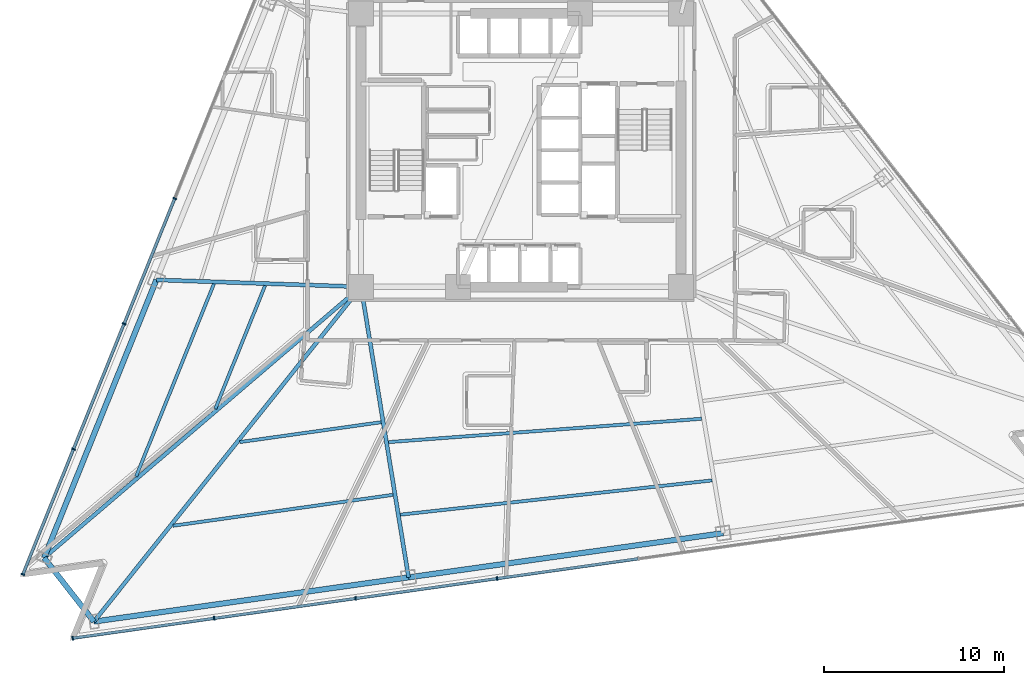
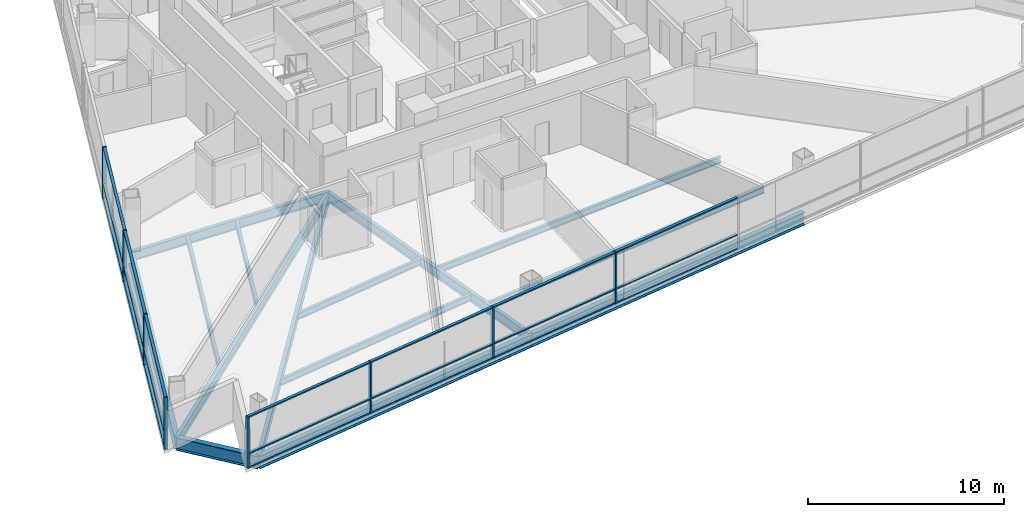
# One storey, part 2 of 15: 29 members, 14 beams, 2 elements without a shape of their own.
"""IFC4 building model written with IfcOpenShell, lengths in metres."""

from ifc_helpers import new_model, si_unit, direction, frame, origin, origin_2d, place, context, subcontext, project, spatial, rectangle, i_section, extrude, material, layer, layer_set, material_profile, profile_set, type_object, element, aggregate, save


model = new_model("IFC4")

# Units and contexts
model_context = context("Model", 3, precision=1e-05, world=origin(), true_north=direction((0.0, 1.0)))
body_context = subcontext(model_context, "Body", "Model", "MODEL_VIEW")
ifc_project = project(units=[si_unit("LENGTHUNIT", "METRE"), si_unit("AREAUNIT", "SQUARE_METRE"), si_unit("VOLUMEUNIT", "CUBIC_METRE"), si_unit("PLANEANGLEUNIT", "RADIAN"), si_unit("MASSUNIT", "GRAM", prefix="KILO")], contexts=[model_context])

# Site, building, storey
site_placement = place(None, origin())
site = spatial("IfcSite", under=ifc_project, at=site_placement, CompositionType="ELEMENT")
building_placement = place(site_placement, origin())
building = spatial("IfcBuilding", under=site, at=building_placement, Name="Tharavind Bronze Gate", CompositionType="ELEMENT")
storey_placement = place(building_placement, frame((0.0, 0.0, 60.449951171875)))
storey = spatial("IfcBuildingStorey", under=building, at=storey_placement, Name="L14", CompositionType="ELEMENT", Elevation=60.449951171875)

# Curtain wall, members
ifc_material_1 = material(Name="Anodised Bronze Aluminium", Category="aluminium")
ifc_layer = layer(ifc_material_1, 0.219970703125)
ifc_layer_set = layer_set([ifc_layer], Name="Anodised Bronze Aluminium")
curtain_wall_type = type_object("IfcCurtainWallType", Name="UNITISED CURTAIN WALL HOTEL", PredefinedType="USERDEFINED", material=ifc_layer_set)
curtain_wall_1_placement = place(storey_placement, origin())
curtain_wall_1 = element("IfcCurtainWall", 1, at=curtain_wall_1_placement, inside=storey, type_object=curtain_wall_type, Name="L14 unitised curtain wall hotel CW-L14-S1", ObjectType="UNITISED CURTAIN WALL", PredefinedType="USERDEFINED")
member_type_1 = type_object("IfcMemberType", Name="CURTAIN WALL MULLION 80X220", PredefinedType="MULLION", material=ifc_material_1)
member_1_placement = place(storey_placement, frame((-19.261474609375, -2.688232421875, 0.0), z_axis=(0.0, 0.0, 1.0), x_axis=(-0.374606593416, -0.927183854567, 0.0)))
member_1 = element("IfcMember", 2, at=member_1_placement, type_object=member_type_1, Name="CW-L14-S1 mullion 5", PredefinedType="MULLION", context=body_context, shape_type="SweptSolid", body=[
    extrude(rectangle(XDim=0.080078125, YDim=0.219970703125, at=origin_2d()), origin(), (0.0, 0.0, 1.0), 3.22509765625),
])
member_2_placement = place(storey_placement, frame((-22.07666015625, -9.65625, 0.0), z_axis=(0.0, 0.0, 1.0), x_axis=(-0.374606593416, -0.927183854567, 0.0)))
member_2 = element("IfcMember", 3, at=member_2_placement, type_object=member_type_1, Name="CW-L14-S1 mullion 6", PredefinedType="MULLION", context=body_context, shape_type="SweptSolid", body=[
    extrude(rectangle(XDim=0.080078125, YDim=0.219970703125, at=origin_2d()), origin(), (0.0, 0.0, 1.0), 3.22509765625),
])
member_3_placement = place(storey_placement, frame((-24.891845703125, -16.6240234375, 0.0), z_axis=(0.0, 0.0, 1.0), x_axis=(-0.374606593416, -0.927183854567, 0.0)))
member_3 = element("IfcMember", 4, at=member_3_placement, type_object=member_type_1, Name="CW-L14-S1 mullion 7", PredefinedType="MULLION", context=body_context, shape_type="SweptSolid", body=[
    extrude(rectangle(XDim=0.080078125, YDim=0.219970703125, at=origin_2d()), origin(), (0.0, 0.0, 1.0), 3.22509765625),
])
member_4_placement = place(storey_placement, frame((-27.70703125, -23.591796875, 0.0), z_axis=(0.0, 0.0, 1.0), x_axis=(-0.374606593416, -0.927183854567, 0.0)))
member_4 = element("IfcMember", 5, at=member_4_placement, type_object=member_type_1, Name="CW-L14-S1 mullion 8", PredefinedType="MULLION", context=body_context, shape_type="SweptSolid", body=[
    extrude(rectangle(XDim=0.080078125, YDim=0.219970703125, at=origin_2d()), origin(), (0.0, 0.0, 1.0), 3.22509765625),
])

curtain_wall_2_placement = place(storey_placement, origin())
curtain_wall_2 = element("IfcCurtainWall", 6, at=curtain_wall_2_placement, inside=storey, type_object=curtain_wall_type, Name="L14 unitised curtain wall hotel CW-L14-S2", ObjectType="UNITISED CURTAIN WALL", PredefinedType="USERDEFINED")
member_5_placement = place(storey_placement, frame((-24.9365234375, -27.137939453125, 0.0), z_axis=(0.0, 0.0, 1.0), x_axis=(0.990268068742, 0.13917310096, 0.0)))
member_5 = element("IfcMember", 7, at=member_5_placement, type_object=member_type_1, Name="CW-L14-S2 mullion 1", PredefinedType="MULLION", context=body_context, shape_type="SweptSolid", body=[
    extrude(rectangle(XDim=0.080078125, YDim=0.219970703125, at=origin_2d()), origin(), (0.0, 0.0, 1.0), 3.22509765625),
])
member_6_placement = place(storey_placement, frame((-17.0703125, -26.032470703125, 0.0), z_axis=(0.0, 0.0, 1.0), x_axis=(0.990268068742, 0.13917310096, 0.0)))
member_6 = element("IfcMember", 8, at=member_6_placement, type_object=member_type_1, Name="CW-L14-S2 mullion 2", PredefinedType="MULLION", context=body_context, shape_type="SweptSolid", body=[
    extrude(rectangle(XDim=0.080078125, YDim=0.219970703125, at=origin_2d()), origin(), (0.0, 0.0, 1.0), 3.22509765625),
])
member_7_placement = place(storey_placement, frame((-9.203857421875, -24.9267578125, 0.0), z_axis=(0.0, 0.0, 1.0), x_axis=(0.990268068742, 0.13917310096, 0.0)))
member_7 = element("IfcMember", 9, at=member_7_placement, type_object=member_type_1, Name="CW-L14-S2 mullion 3", PredefinedType="MULLION", context=body_context, shape_type="SweptSolid", body=[
    extrude(rectangle(XDim=0.080078125, YDim=0.219970703125, at=origin_2d()), origin(), (0.0, 0.0, 1.0), 3.22509765625),
])
member_8_placement = place(storey_placement, frame((-1.337646484375, -23.8212890625, 0.0), z_axis=(0.0, 0.0, 1.0), x_axis=(0.990268068742, 0.13917310096, 0.0)))
member_8 = element("IfcMember", 10, at=member_8_placement, type_object=member_type_1, Name="CW-L14-S2 mullion 4", PredefinedType="MULLION", context=body_context, shape_type="SweptSolid", body=[
    extrude(rectangle(XDim=0.080078125, YDim=0.219970703125, at=origin_2d()), origin(), (0.0, 0.0, 1.0), 3.22509765625),
])

# Member
member_type_2 = type_object("IfcMemberType", Name="CURTAIN WALL TRANSOM 80X160", PredefinedType="USERDEFINED", material=ifc_material_1)
member_9_placement = place(storey_placement, frame((-20.669189453125, -6.17236328125, 0.0), z_axis=(0.0, 0.0, 1.0), x_axis=(-0.374606593416, -0.927183854567, 0.0)))
member_9 = element("IfcMember", 11, at=member_9_placement, type_object=member_type_2, Name="CW-L14-S1 transom TB5", ObjectType="TRANSOM", PredefinedType="USERDEFINED", context=body_context, shape_type="SweptSolid", body=[
    extrude(rectangle(XDim=7.447021484375, YDim=0.159912109375, at=origin_2d()), origin(), (0.0, 0.0, 1.0), 0.080078125),
])

member_10_placement = place(storey_placement, frame((-20.669189453125, -6.17236328125, 0.860107421875), z_axis=(0.0, 0.0, 1.0), x_axis=(-0.374606593416, -0.927183854567, 0.0)))
member_10 = element("IfcMember", 12, at=member_10_placement, type_object=member_type_2, Name="CW-L14-S1 transom TS5", ObjectType="TRANSOM", PredefinedType="USERDEFINED", context=body_context, shape_type="SweptSolid", body=[
    extrude(rectangle(XDim=7.447021484375, YDim=0.159912109375, at=origin_2d()), origin(), (0.0, 0.0, 1.0), 0.080078125),
])

member_11_placement = place(storey_placement, frame((-20.669189453125, -6.17236328125, 3.14501953125), z_axis=(0.0, 0.0, 1.0), x_axis=(-0.374606593416, -0.927183854567, 0.0)))
member_11 = element("IfcMember", 13, at=member_11_placement, type_object=member_type_2, Name="CW-L14-S1 transom TT5", ObjectType="TRANSOM", PredefinedType="USERDEFINED", context=body_context, shape_type="SweptSolid", body=[
    extrude(rectangle(XDim=7.447021484375, YDim=0.159912109375, at=origin_2d()), origin(), (0.0, 0.0, 1.0), 0.080078125),
])

member_12_placement = place(storey_placement, frame((-23.484375, -13.14013671875, 0.0), z_axis=(0.0, 0.0, 1.0), x_axis=(-0.374606593416, -0.927183854567, 0.0)))
member_12 = element("IfcMember", 14, at=member_12_placement, type_object=member_type_2, Name="CW-L14-S1 transom TB6", ObjectType="TRANSOM", PredefinedType="USERDEFINED", context=body_context, shape_type="SweptSolid", body=[
    extrude(rectangle(XDim=7.447021484375, YDim=0.159912109375, at=origin_2d()), origin(), (0.0, 0.0, 1.0), 0.080078125),
])

member_13_placement = place(storey_placement, frame((-23.484375, -13.14013671875, 0.860107421875), z_axis=(0.0, 0.0, 1.0), x_axis=(-0.374606593416, -0.927183854567, 0.0)))
member_13 = element("IfcMember", 15, at=member_13_placement, type_object=member_type_2, Name="CW-L14-S1 transom TS6", ObjectType="TRANSOM", PredefinedType="USERDEFINED", context=body_context, shape_type="SweptSolid", body=[
    extrude(rectangle(XDim=7.447021484375, YDim=0.159912109375, at=origin_2d()), origin(), (0.0, 0.0, 1.0), 0.080078125),
])

member_14_placement = place(storey_placement, frame((-23.484375, -13.14013671875, 3.14501953125), z_axis=(0.0, 0.0, 1.0), x_axis=(-0.374606593416, -0.927183854567, 0.0)))
member_14 = element("IfcMember", 16, at=member_14_placement, type_object=member_type_2, Name="CW-L14-S1 transom TT6", ObjectType="TRANSOM", PredefinedType="USERDEFINED", context=body_context, shape_type="SweptSolid", body=[
    extrude(rectangle(XDim=7.447021484375, YDim=0.159912109375, at=origin_2d()), origin(), (0.0, 0.0, 1.0), 0.080078125),
])

member_15_placement = place(storey_placement, frame((-26.299560546875, -20.10791015625, 0.0), z_axis=(0.0, 0.0, 1.0), x_axis=(-0.374606593416, -0.927183854567, 0.0)))
member_15 = element("IfcMember", 17, at=member_15_placement, type_object=member_type_2, Name="CW-L14-S1 transom TB7", ObjectType="TRANSOM", PredefinedType="USERDEFINED", context=body_context, shape_type="SweptSolid", body=[
    extrude(rectangle(XDim=7.447021484375, YDim=0.159912109375, at=origin_2d()), origin(), (0.0, 0.0, 1.0), 0.080078125),
])

member_16_placement = place(storey_placement, frame((-26.299560546875, -20.10791015625, 0.860107421875), z_axis=(0.0, 0.0, 1.0), x_axis=(-0.374606593416, -0.927183854567, 0.0)))
member_16 = element("IfcMember", 18, at=member_16_placement, type_object=member_type_2, Name="CW-L14-S1 transom TS7", ObjectType="TRANSOM", PredefinedType="USERDEFINED", context=body_context, shape_type="SweptSolid", body=[
    extrude(rectangle(XDim=7.447021484375, YDim=0.159912109375, at=origin_2d()), origin(), (0.0, 0.0, 1.0), 0.080078125),
])

member_17_placement = place(storey_placement, frame((-26.299560546875, -20.10791015625, 3.14501953125), z_axis=(0.0, 0.0, 1.0), x_axis=(-0.374606593416, -0.927183854567, 0.0)))
member_17 = element("IfcMember", 19, at=member_17_placement, type_object=member_type_2, Name="CW-L14-S1 transom TT7", ObjectType="TRANSOM", PredefinedType="USERDEFINED", context=body_context, shape_type="SweptSolid", body=[
    extrude(rectangle(XDim=7.447021484375, YDim=0.159912109375, at=origin_2d()), origin(), (0.0, 0.0, 1.0), 0.080078125),
])

aggregate(curtain_wall_1, [member_1, member_2, member_3, member_4, member_9, member_10, member_11, member_12, member_13, member_14, member_15, member_16, member_17])

member_18_placement = place(storey_placement, frame((-21.00341796875, -26.585205078125, 0.0), z_axis=(0.0, 0.0, 1.0), x_axis=(0.990268068742, 0.13917310096, 0.0)))
member_18 = element("IfcMember", 20, at=member_18_placement, type_object=member_type_2, Name="CW-L14-S2 transom TB1", ObjectType="TRANSOM", PredefinedType="USERDEFINED", context=body_context, shape_type="SweptSolid", body=[
    extrude(rectangle(XDim=7.87548828125, YDim=0.159912109375, at=origin_2d()), origin(), (0.0, 0.0, 1.0), 0.080078125),
])

member_19_placement = place(storey_placement, frame((-21.00341796875, -26.585205078125, 0.860107421875), z_axis=(0.0, 0.0, 1.0), x_axis=(0.990268068742, 0.13917310096, 0.0)))
member_19 = element("IfcMember", 21, at=member_19_placement, type_object=member_type_2, Name="CW-L14-S2 transom TS1", ObjectType="TRANSOM", PredefinedType="USERDEFINED", context=body_context, shape_type="SweptSolid", body=[
    extrude(rectangle(XDim=7.87548828125, YDim=0.159912109375, at=origin_2d()), origin(), (0.0, 0.0, 1.0), 0.080078125),
])

member_20_placement = place(storey_placement, frame((-21.00341796875, -26.585205078125, 3.14501953125), z_axis=(0.0, 0.0, 1.0), x_axis=(0.990268068742, 0.13917310096, 0.0)))
member_20 = element("IfcMember", 22, at=member_20_placement, type_object=member_type_2, Name="CW-L14-S2 transom TT1", ObjectType="TRANSOM", PredefinedType="USERDEFINED", context=body_context, shape_type="SweptSolid", body=[
    extrude(rectangle(XDim=7.87548828125, YDim=0.159912109375, at=origin_2d()), origin(), (0.0, 0.0, 1.0), 0.080078125),
])

member_21_placement = place(storey_placement, frame((-13.13720703125, -25.4794921875, 0.0), z_axis=(0.0, 0.0, 1.0), x_axis=(0.990268068742, 0.13917310096, 0.0)))
member_21 = element("IfcMember", 23, at=member_21_placement, type_object=member_type_2, Name="CW-L14-S2 transom TB2", ObjectType="TRANSOM", PredefinedType="USERDEFINED", context=body_context, shape_type="SweptSolid", body=[
    extrude(rectangle(XDim=7.87548828125, YDim=0.159912109375, at=origin_2d()), origin(), (0.0, 0.0, 1.0), 0.080078125),
])

member_22_placement = place(storey_placement, frame((-13.13720703125, -25.4794921875, 0.860107421875), z_axis=(0.0, 0.0, 1.0), x_axis=(0.990268068742, 0.13917310096, 0.0)))
member_22 = element("IfcMember", 24, at=member_22_placement, type_object=member_type_2, Name="CW-L14-S2 transom TS2", ObjectType="TRANSOM", PredefinedType="USERDEFINED", context=body_context, shape_type="SweptSolid", body=[
    extrude(rectangle(XDim=7.87548828125, YDim=0.159912109375, at=origin_2d()), origin(), (0.0, 0.0, 1.0), 0.080078125),
])

member_23_placement = place(storey_placement, frame((-13.13720703125, -25.4794921875, 3.14501953125), z_axis=(0.0, 0.0, 1.0), x_axis=(0.990268068742, 0.13917310096, 0.0)))
member_23 = element("IfcMember", 25, at=member_23_placement, type_object=member_type_2, Name="CW-L14-S2 transom TT2", ObjectType="TRANSOM", PredefinedType="USERDEFINED", context=body_context, shape_type="SweptSolid", body=[
    extrude(rectangle(XDim=7.87548828125, YDim=0.159912109375, at=origin_2d()), origin(), (0.0, 0.0, 1.0), 0.080078125),
])

member_24_placement = place(storey_placement, frame((-5.270751953125, -24.3740234375, 0.0), z_axis=(0.0, 0.0, 1.0), x_axis=(0.990268068742, 0.13917310096, 0.0)))
member_24 = element("IfcMember", 26, at=member_24_placement, type_object=member_type_2, Name="CW-L14-S2 transom TB3", ObjectType="TRANSOM", PredefinedType="USERDEFINED", context=body_context, shape_type="SweptSolid", body=[
    extrude(rectangle(XDim=7.87548828125, YDim=0.159912109375, at=origin_2d()), origin(), (0.0, 0.0, 1.0), 0.080078125),
])

member_25_placement = place(storey_placement, frame((-5.270751953125, -24.3740234375, 0.860107421875), z_axis=(0.0, 0.0, 1.0), x_axis=(0.990268068742, 0.13917310096, 0.0)))
member_25 = element("IfcMember", 27, at=member_25_placement, type_object=member_type_2, Name="CW-L14-S2 transom TS3", ObjectType="TRANSOM", PredefinedType="USERDEFINED", context=body_context, shape_type="SweptSolid", body=[
    extrude(rectangle(XDim=7.87548828125, YDim=0.159912109375, at=origin_2d()), origin(), (0.0, 0.0, 1.0), 0.080078125),
])

member_26_placement = place(storey_placement, frame((-5.270751953125, -24.3740234375, 3.14501953125), z_axis=(0.0, 0.0, 1.0), x_axis=(0.990268068742, 0.13917310096, 0.0)))
member_26 = element("IfcMember", 28, at=member_26_placement, type_object=member_type_2, Name="CW-L14-S2 transom TT3", ObjectType="TRANSOM", PredefinedType="USERDEFINED", context=body_context, shape_type="SweptSolid", body=[
    extrude(rectangle(XDim=7.87548828125, YDim=0.159912109375, at=origin_2d()), origin(), (0.0, 0.0, 1.0), 0.080078125),
])

member_27_placement = place(storey_placement, frame((2.595703125, -23.2685546875, 0.0), z_axis=(0.0, 0.0, 1.0), x_axis=(0.990268068742, 0.13917310096, 0.0)))
member_27 = element("IfcMember", 29, at=member_27_placement, type_object=member_type_2, Name="CW-L14-S2 transom TB4", ObjectType="TRANSOM", PredefinedType="USERDEFINED", context=body_context, shape_type="SweptSolid", body=[
    extrude(rectangle(XDim=7.87548828125, YDim=0.159912109375, at=origin_2d()), origin(), (0.0, 0.0, 1.0), 0.080078125),
])

member_28_placement = place(storey_placement, frame((2.595703125, -23.2685546875, 0.860107421875), z_axis=(0.0, 0.0, 1.0), x_axis=(0.990268068742, 0.13917310096, 0.0)))
member_28 = element("IfcMember", 30, at=member_28_placement, type_object=member_type_2, Name="CW-L14-S2 transom TS4", ObjectType="TRANSOM", PredefinedType="USERDEFINED", context=body_context, shape_type="SweptSolid", body=[
    extrude(rectangle(XDim=7.87548828125, YDim=0.159912109375, at=origin_2d()), origin(), (0.0, 0.0, 1.0), 0.080078125),
])

member_29_placement = place(storey_placement, frame((2.595703125, -23.2685546875, 3.14501953125), z_axis=(0.0, 0.0, 1.0), x_axis=(0.990268068742, 0.13917310096, 0.0)))
member_29 = element("IfcMember", 31, at=member_29_placement, type_object=member_type_2, Name="CW-L14-S2 transom TT4", ObjectType="TRANSOM", PredefinedType="USERDEFINED", context=body_context, shape_type="SweptSolid", body=[
    extrude(rectangle(XDim=7.87548828125, YDim=0.159912109375, at=origin_2d()), origin(), (0.0, 0.0, 1.0), 0.080078125),
])

aggregate(curtain_wall_2, [member_5, member_6, member_7, member_8, member_18, member_19, member_20, member_21, member_22, member_23, member_24, member_25, member_26, member_27, member_28, member_29])

# Beams
ifc_material_2 = material(Name="Steel S355", Category="steel")
ifc_material_profile_1 = material_profile(ifc_material_2, i_section(OverallWidth=0.219970703125, OverallDepth=0.60009765625, WebThickness=0.011962890625, FlangeThickness=0.01904296875, at=origin_2d()), Name="IPE600")
ifc_profile_set_1 = profile_set([ifc_material_profile_1], Name="Steel S355")
beam_type_1 = type_object("IfcBeamType", Name="PRIMARY GIRDER IPE600", PredefinedType="USERDEFINED", material=ifc_profile_set_1)
beam_1_placement = place(storey_placement, frame((-20.28076171875, -7.212890625, -0.474853515625), z_axis=(0.999421731514, -0.034002978938, 0.0), x_axis=(0.034002978938, 0.999421731514, 0.0)))
element("IfcBeam", 32, at=beam_1_placement, inside=storey, type_object=beam_type_1, Name="L14 primary girder ipe600 BM-L14-RAD03", ObjectType="GIRDER", PredefinedType="USERDEFINED", context=body_context, shape_type="SweptSolid", body=[
    extrude(i_section(OverallWidth=0.219970703125, OverallDepth=0.60009765625, WebThickness=0.011962890625, FlangeThickness=0.01904296875, at=origin_2d()), origin(), (0.0, 0.0, 1.0), 11.387451171875),
])
beam_2_placement = place(storey_placement, frame((-26.525146484375, -22.66845703125, -0.474853515625), z_axis=(0.760086871137, 0.649821474195, 0.0), x_axis=(-0.649821474195, 0.760086871137, 0.0)))
element("IfcBeam", 33, at=beam_2_placement, inside=storey, type_object=beam_type_1, Name="L14 primary girder ipe600 BM-L14-RAD04", ObjectType="GIRDER", PredefinedType="USERDEFINED", context=body_context, shape_type="SweptSolid", body=[
    extrude(i_section(OverallWidth=0.219970703125, OverallDepth=0.60009765625, WebThickness=0.011962890625, FlangeThickness=0.01904296875, at=origin_2d()), origin(), (0.0, 0.0, 1.0), 23.1884765625),
])
beam_3_placement = place(storey_placement, frame((-23.754638671875, -26.21435546875, -0.474853515625), z_axis=(0.623755703822, 0.781619358735, 0.0), x_axis=(-0.781619358735, 0.623755703822, 0.0)))
element("IfcBeam", 34, at=beam_3_placement, inside=storey, type_object=beam_type_1, Name="L14 primary girder ipe600 BM-L14-RAD05", ObjectType="GIRDER", PredefinedType="USERDEFINED", context=body_context, shape_type="SweptSolid", body=[
    extrude(i_section(OverallWidth=0.219970703125, OverallDepth=0.60009765625, WebThickness=0.011962890625, FlangeThickness=0.01904296875, at=origin_2d()), origin(), (0.0, 0.0, 1.0), 23.81494140625),
])
beam_4_placement = place(storey_placement, frame((-6.25732421875, -23.75537109375, -0.474853515625), z_axis=(-0.161428355107, 0.986884434049, 0.0), x_axis=(-0.986884434049, -0.161428355107, 0.0)))
element("IfcBeam", 35, at=beam_4_placement, inside=storey, type_object=beam_type_1, Name="L14 primary girder ipe600 BM-L14-RAD06", ObjectType="GIRDER", PredefinedType="USERDEFINED", context=body_context, shape_type="SweptSolid", body=[
    extrude(i_section(OverallWidth=0.219970703125, OverallDepth=0.60009765625, WebThickness=0.011962890625, FlangeThickness=0.01904296875, at=origin_2d()), origin(), (0.0, 0.0, 1.0), 16.369873046875),
])
ifc_material_profile_2 = material_profile(ifc_material_2, i_section(OverallWidth=0.300048828125, OverallDepth=0.800048828125, WebThickness=0.017578125, FlangeThickness=0.032958984375, at=origin_2d()), Name="HE800B")
ifc_profile_set_2 = profile_set([ifc_material_profile_2], Name="Steel S355")
beam_type_2 = type_object("IfcBeamType", Name="RING GIRDER HE800B", PredefinedType="USERDEFINED", material=ifc_profile_set_2)
beam_5_placement = place(storey_placement, frame((-20.28076171875, -7.212890625, -0.574951171875), z_axis=(-0.374603014443, -0.927185300557, 0.0), x_axis=(0.927185300557, -0.374603014443, 0.0)))
element("IfcBeam", 36, at=beam_5_placement, inside=storey, type_object=beam_type_2, Name="L14 ring girder he800b BM-L14-PRG03", ObjectType="GIRDER", PredefinedType="USERDEFINED", context=body_context, shape_type="SweptSolid", body=[
    extrude(i_section(OverallWidth=0.300048828125, OverallDepth=0.800048828125, WebThickness=0.017578125, FlangeThickness=0.032958984375, at=origin_2d()), origin(), (0.0, 0.0, 1.0), 16.66943359375),
])
beam_6_placement = place(storey_placement, frame((-26.525146484375, -22.66845703125, -0.574951171875), z_axis=(0.615681943852, -0.787994761413, 0.0), x_axis=(0.787994761413, 0.615681943852, 0.0)))
element("IfcBeam", 37, at=beam_6_placement, inside=storey, type_object=beam_type_2, Name="L14 ring girder he800b BM-L14-PRG04", ObjectType="GIRDER", PredefinedType="USERDEFINED", context=body_context, shape_type="SweptSolid", body=[
    extrude(i_section(OverallWidth=0.300048828125, OverallDepth=0.800048828125, WebThickness=0.017578125, FlangeThickness=0.032958984375, at=origin_2d()), origin(), (0.0, 0.0, 1.0), 4.5),
])
beam_7_placement = place(storey_placement, frame((-23.754638671875, -26.21435546875, -0.574951171875), z_axis=(0.990268870582, 0.13916739545, 0.0), x_axis=(-0.13916739545, 0.990268870582, 0.0)))
element("IfcBeam", 38, at=beam_7_placement, inside=storey, type_object=beam_type_2, Name="L14 ring girder he800b BM-L14-PRG05", ObjectType="GIRDER", PredefinedType="USERDEFINED", context=body_context, shape_type="SweptSolid", body=[
    extrude(i_section(OverallWidth=0.300048828125, OverallDepth=0.800048828125, WebThickness=0.017578125, FlangeThickness=0.032958984375, at=origin_2d()), origin(), (0.0, 0.0, 1.0), 17.669189453125),
])
beam_8_placement = place(storey_placement, frame((-6.25732421875, -23.75537109375, -0.574951171875), z_axis=(0.99026860297, 0.139169299675, 0.0), x_axis=(-0.139169299675, 0.99026860297, 0.0)))
element("IfcBeam", 39, at=beam_8_placement, inside=storey, type_object=beam_type_2, Name="L14 ring girder he800b BM-L14-PRG06", ObjectType="GIRDER", PredefinedType="USERDEFINED", context=body_context, shape_type="SweptSolid", body=[
    extrude(i_section(OverallWidth=0.300048828125, OverallDepth=0.800048828125, WebThickness=0.017578125, FlangeThickness=0.032958984375, at=origin_2d()), origin(), (0.0, 0.0, 1.0), 17.6689453125),
])
ifc_material_profile_3 = material_profile(ifc_material_2, i_section(OverallWidth=0.179931640625, OverallDepth=0.39990234375, WebThickness=0.008544921875, FlangeThickness=0.013427734375, at=origin_2d()), Name="IPE400")
ifc_profile_set_3 = profile_set([ifc_material_profile_3], Name="Steel S355")
beam_type_3 = type_object("IfcBeamType", Name="SECONDARY FLOOR JOIST IPE400", PredefinedType="JOIST", material=ifc_profile_set_3)
beam_9_placement = place(storey_placement, frame((-14.2373046875, -7.5322265625, -0.375), z_axis=(-0.37461330308, -0.927181143658, 0.0), x_axis=(0.927181143658, -0.37461330308, 0.0)))
element("IfcBeam", 40, at=beam_9_placement, inside=storey, type_object=beam_type_3, Name="L14 secondary floor joist ipe400 BM-L14-JSTA03", PredefinedType="JOIST", context=body_context, shape_type="SweptSolid", body=[
    extrude(i_section(OverallWidth=0.179931640625, OverallDepth=0.39990234375, WebThickness=0.008544921875, FlangeThickness=0.013427734375, at=origin_2d()), origin(), (0.0, 0.0, 1.0), 7.387939453125),
])
beam_10_placement = place(storey_placement, frame((-17.08251953125, -7.435546875, -0.375), z_axis=(-0.374608720943, -0.927182994987, 0.0), x_axis=(0.927182994987, -0.374608720943, 0.0)))
element("IfcBeam", 41, at=beam_10_placement, inside=storey, type_object=beam_type_3, Name="L14 secondary floor joist ipe400 BM-L14-JSTB03", PredefinedType="JOIST", context=body_context, shape_type="SweptSolid", body=[
    extrude(i_section(OverallWidth=0.179931640625, OverallDepth=0.39990234375, WebThickness=0.008544921875, FlangeThickness=0.013427734375, at=origin_2d()), origin(), (0.0, 0.0, 1.0), 11.554931640625),
])
beam_11_placement = place(storey_placement, frame((-15.64501953125, -16.23291015625, -0.375), z_axis=(0.990268635853, 0.139169065695, 0.0), x_axis=(-0.139169065695, 0.990268635853, 0.0)))
element("IfcBeam", 42, at=beam_11_placement, inside=storey, type_object=beam_type_3, Name="L14 secondary floor joist ipe400 BM-L14-JSTA05", PredefinedType="JOIST", context=body_context, shape_type="SweptSolid", body=[
    extrude(i_section(OverallWidth=0.179931640625, OverallDepth=0.39990234375, WebThickness=0.008544921875, FlangeThickness=0.013427734375, at=origin_2d()), origin(), (0.0, 0.0, 1.0), 7.93798828125),
])
beam_12_placement = place(storey_placement, frame((-19.358642578125, -20.886474609375, -0.375), z_axis=(0.990268624097, 0.139169149347, 0.0), x_axis=(-0.139169149347, 0.990268624097, 0.0)))
element("IfcBeam", 43, at=beam_12_placement, inside=storey, type_object=beam_type_3, Name="L14 secondary floor joist ipe400 BM-L14-JSTB05", PredefinedType="JOIST", context=body_context, shape_type="SweptSolid", body=[
    extrude(i_section(OverallWidth=0.179931640625, OverallDepth=0.39990234375, WebThickness=0.008544921875, FlangeThickness=0.013427734375, at=origin_2d()), origin(), (0.0, 0.0, 1.0), 12.355224609375),
])
beam_13_placement = place(storey_placement, frame((-7.3720703125, -16.234619140625, -0.375), z_axis=(0.997229733674, 0.074383185436, 0.0), x_axis=(-0.074383185436, 0.997229733674, 0.0)))
element("IfcBeam", 44, at=beam_13_placement, inside=storey, type_object=beam_type_3, Name="L14 secondary floor joist ipe400 BM-L14-JSTA06", PredefinedType="JOIST", context=body_context, shape_type="SweptSolid", body=[
    extrude(i_section(OverallWidth=0.179931640625, OverallDepth=0.39990234375, WebThickness=0.008544921875, FlangeThickness=0.013427734375, at=origin_2d()), origin(), (0.0, 0.0, 1.0), 17.4580078125),
])
beam_14_placement = place(storey_placement, frame((-6.712158203125, -20.269287109375, -0.375), z_axis=(0.99401448474, 0.109248359842, 0.0), x_axis=(-0.109248359842, 0.99401448474, 0.0)))
element("IfcBeam", 45, at=beam_14_placement, inside=storey, type_object=beam_type_3, Name="L14 secondary floor joist ipe400 BM-L14-JSTB06", PredefinedType="JOIST", context=body_context, shape_type="SweptSolid", body=[
    extrude(i_section(OverallWidth=0.179931640625, OverallDepth=0.39990234375, WebThickness=0.008544921875, FlangeThickness=0.013427734375, at=origin_2d()), origin(), (0.0, 0.0, 1.0), 17.43994140625),
])

save(model, "model.ifc")
